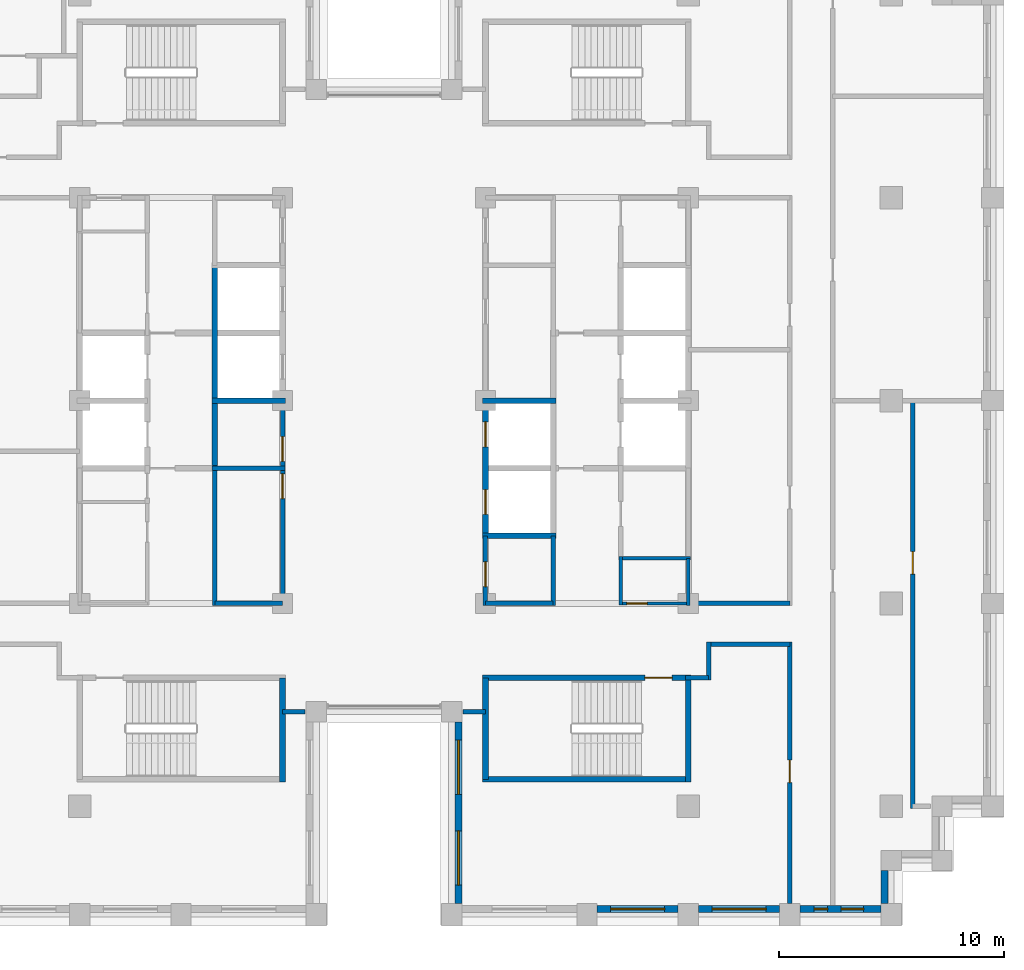
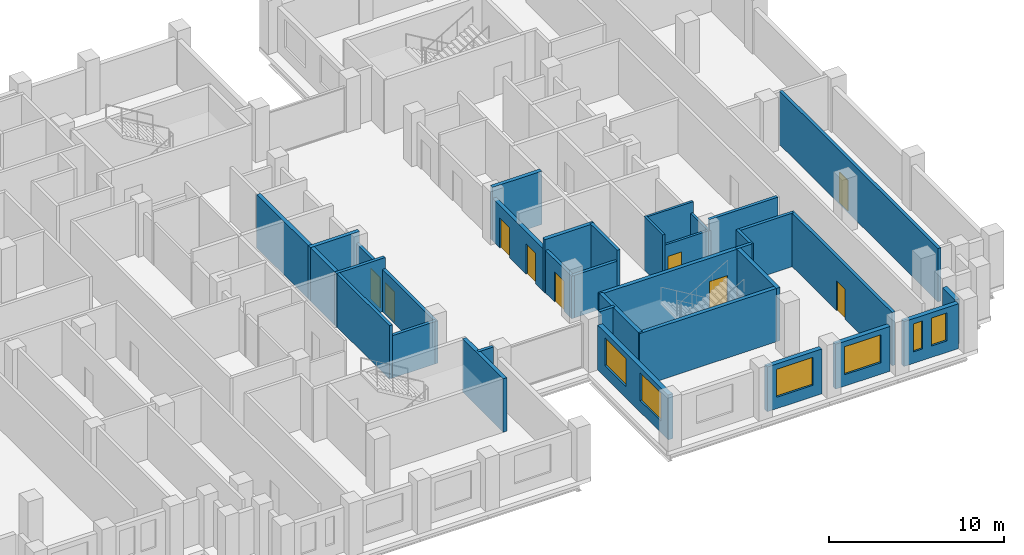
# One storey, part 8 of 15: 34 walls, 9 doors, 6 windows, 15 openings.
"""IFC4 building model written with IfcOpenShell, lengths in metres."""

from ifc_helpers import new_model, si_unit, direction, frame, frame_2d, origin, place, context, subcontext, project, spatial, rectangle, extrude, material, layer, layer_set, type_object, element, fill, save


model = new_model("IFC4")

# Units and contexts
model_context = context("Model", 3, precision=1e-05, world=origin(), true_north=direction((0.0, 1.0)))
body_context = subcontext(model_context, "Body", "Model", "MODEL_VIEW")
ifc_project = project(units=[si_unit("LENGTHUNIT", "METRE"), si_unit("AREAUNIT", "SQUARE_METRE"), si_unit("VOLUMEUNIT", "CUBIC_METRE"), si_unit("PLANEANGLEUNIT", "RADIAN"), si_unit("MASSUNIT", "GRAM", prefix="KILO")], contexts=[model_context])

# Site, building, storey
site_placement = place(None, origin())
site = spatial("IfcSite", under=ifc_project, at=site_placement, CompositionType="ELEMENT")
building_placement = place(site_placement, origin())
building = spatial("IfcBuilding", under=site, at=building_placement, Name="Corbelhall Arena Tower", CompositionType="ELEMENT")
storey_placement = place(building_placement, frame((0.0, 0.0, 220.0)))
storey = spatial("IfcBuildingStorey", under=building, at=storey_placement, Name="L46", CompositionType="ELEMENT", Elevation=220.0)

# Wall, openings, windows
ifc_material_1 = material(Name="Precast concrete C40/50 with granite facing", Category="masonry")
ifc_layer_1 = layer(ifc_material_1, 0.300048828125)
ifc_layer_set_1 = layer_set([ifc_layer_1], Name="EV-IW1 Infill panel 300")
wall_type_1 = type_object("IfcWallType", Name="EV-IW1 Infill panel 300", PredefinedType="SOLIDWALL", material=ifc_layer_set_1)
wall_1_placement = place(storey_placement, frame((3.300048828125, -14.25, 0.0), z_axis=(0.0, 0.0, 1.0), x_axis=(0.0, -1.0, 0.0)))
wall_1 = element("IfcWall", 1, at=wall_1_placement, inside=storey, type_object=wall_type_1, Name="Infill panel IW1", PredefinedType="SOLIDWALL", context=body_context, shape_type="SweptSolid", body=[
    extrude(rectangle(XDim=8.050048828125, YDim=0.300048828125, at=frame_2d((4.02490234375, 0.0))), origin(), (0.0, 0.0, 1.0), 3.1201171875),
])
opening_1_placement = place(wall_1_placement, frame((0.8125, 0.0, 0.800048828125)))
opening_1 = element("IfcOpeningElement", 2, at=opening_1_placement, cuts=wall_1, Name="Opening WN1", PredefinedType="OPENING", context=body_context, shape_type="SweptSolid", body=[
    extrude(rectangle(XDim=2.39990234375, YDim=1.949951171875, at=frame_2d((1.199951171875, 0.97509765625))), frame((0.0, 0.14990234375, 0.0), z_axis=(0.0, -1.0, 0.0), x_axis=(1.0, 0.0, 0.0)), (0.0, 0.0, 1.0), 0.300048828125),
])
opening_2_placement = place(wall_1_placement, frame((4.83740234375, 0.0, 0.800048828125)))
opening_2 = element("IfcOpeningElement", 3, at=opening_2_placement, cuts=wall_1, Name="Opening WN1", PredefinedType="OPENING", context=body_context, shape_type="SweptSolid", body=[
    extrude(rectangle(XDim=2.39990234375, YDim=1.949951171875, at=frame_2d((1.199951171875, 0.97509765625))), frame((0.0, 0.14990234375, 0.0), z_axis=(0.0, -1.0, 0.0), x_axis=(1.0, 0.0, 0.0)), (0.0, 0.0, 1.0), 0.300048828125),
])
ifc_material_2 = material(Name="Aluminium black anodised", Category="aluminium")
window_type_1 = type_object("IfcWindowType", Name="EV-WN1 Office window", PartitioningType="SINGLE_PANEL", PredefinedType="WINDOW", material=ifc_material_2)
window_1_placement = place(opening_1_placement, origin())
window_1 = element("IfcWindow", 4, at=window_1_placement, inside=storey, type_object=window_type_1, Name="Window WN1", OverallHeight=1.949951171875, OverallWidth=2.39990234375, PartitioningType="SINGLE_PANEL", PredefinedType="WINDOW", context=body_context, shape_type="SweptSolid", body=[
    extrude(rectangle(XDim=2.39990234375, YDim=1.949951171875, at=frame_2d((1.199951171875, 0.97509765625))), frame((0.0, 0.030029296875, 0.0), z_axis=(0.0, -1.0, 0.0), x_axis=(1.0, 0.0, 0.0)), (0.0, 0.0, 1.0), 0.06005859375),
])
fill(opening_1, window_1)
window_2_placement = place(opening_2_placement, origin())
window_2 = element("IfcWindow", 5, at=window_2_placement, inside=storey, type_object=window_type_1, Name="Window WN1", OverallHeight=1.949951171875, OverallWidth=2.39990234375, PartitioningType="SINGLE_PANEL", PredefinedType="WINDOW", context=body_context, shape_type="SweptSolid", body=[
    extrude(rectangle(XDim=2.39990234375, YDim=1.949951171875, at=frame_2d((1.199951171875, 0.97509765625))), frame((0.0, 0.030029296875, 0.0), z_axis=(0.0, -1.0, 0.0), x_axis=(1.0, 0.0, 0.0)), (0.0, 0.0, 1.0), 0.06005859375),
])
fill(opening_2, window_2)

# Wall, opening, window
wall_2_placement = place(storey_placement, frame((9.449951171875, -22.550048828125, 0.0), z_axis=(0.0, 0.0, 1.0), x_axis=(1.0, 0.0, 0.0)))
wall_2 = element("IfcWall", 6, at=wall_2_placement, inside=storey, type_object=wall_type_1, Name="Infill panel IW1", PredefinedType="SOLIDWALL", context=body_context, shape_type="SweptSolid", body=[
    extrude(rectangle(XDim=3.60009765625, YDim=0.300048828125, at=frame_2d((1.800048828125, 0.0))), origin(), (0.0, 0.0, 1.0), 3.1201171875),
])
opening_3_placement = place(wall_2_placement, frame((0.60009765625, 0.0, 0.800048828125)))
opening_3 = element("IfcOpeningElement", 7, at=opening_3_placement, cuts=wall_2, Name="Opening WN1", PredefinedType="OPENING", context=body_context, shape_type="SweptSolid", body=[
    extrude(rectangle(XDim=2.39990234375, YDim=1.949951171875, at=frame_2d((1.199951171875, 0.97509765625))), frame((0.0, 0.14990234375, 0.0), z_axis=(0.0, -1.0, 0.0), x_axis=(1.0, 0.0, 0.0)), (0.0, 0.0, 1.0), 0.300048828125),
])
window_3_placement = place(opening_3_placement, origin())
window_3 = element("IfcWindow", 8, at=window_3_placement, inside=storey, type_object=window_type_1, Name="Window WN1", OverallHeight=1.949951171875, OverallWidth=2.39990234375, PartitioningType="SINGLE_PANEL", PredefinedType="WINDOW", context=body_context, shape_type="SweptSolid", body=[
    extrude(rectangle(XDim=2.39990234375, YDim=1.949951171875, at=frame_2d((1.199951171875, 0.97509765625))), frame((0.0, 0.030029296875, 0.0), z_axis=(0.0, -1.0, 0.0), x_axis=(1.0, 0.0, 0.0)), (0.0, 0.0, 1.0), 0.06005859375),
])
fill(opening_3, window_3)

wall_3_placement = place(storey_placement, frame((13.949951171875, -22.550048828125, 0.0), z_axis=(0.0, 0.0, 1.0), x_axis=(1.0, 0.0, 0.0)))
wall_3 = element("IfcWall", 9, at=wall_3_placement, inside=storey, type_object=wall_type_1, Name="Infill panel IW1", PredefinedType="SOLIDWALL", context=body_context, shape_type="SweptSolid", body=[
    extrude(rectangle(XDim=3.60009765625, YDim=0.300048828125, at=frame_2d((1.800048828125, 0.0))), origin(), (0.0, 0.0, 1.0), 3.1201171875),
])
opening_4_placement = place(wall_3_placement, frame((0.60009765625, 0.0, 0.800048828125)))
opening_4 = element("IfcOpeningElement", 10, at=opening_4_placement, cuts=wall_3, Name="Opening WN1", PredefinedType="OPENING", context=body_context, shape_type="SweptSolid", body=[
    extrude(rectangle(XDim=2.39990234375, YDim=1.949951171875, at=frame_2d((1.199951171875, 0.97509765625))), frame((0.0, 0.14990234375, 0.0), z_axis=(0.0, -1.0, 0.0), x_axis=(1.0, 0.0, 0.0)), (0.0, 0.0, 1.0), 0.300048828125),
])
window_4_placement = place(opening_4_placement, origin())
window_4 = element("IfcWindow", 11, at=window_4_placement, inside=storey, type_object=window_type_1, Name="Window WN1", OverallHeight=1.949951171875, OverallWidth=2.39990234375, PartitioningType="SINGLE_PANEL", PredefinedType="WINDOW", context=body_context, shape_type="SweptSolid", body=[
    extrude(rectangle(XDim=2.39990234375, YDim=1.949951171875, at=frame_2d((1.199951171875, 0.97509765625))), frame((0.0, 0.030029296875, 0.0), z_axis=(0.0, -1.0, 0.0), x_axis=(1.0, 0.0, 0.0)), (0.0, 0.0, 1.0), 0.06005859375),
])
fill(opening_4, window_4)

# Wall, openings, windows
wall_4_placement = place(storey_placement, frame((18.449951171875, -22.550048828125, 0.0), z_axis=(0.0, 0.0, 1.0), x_axis=(1.0, 0.0, 0.0)))
wall_4 = element("IfcWall", 12, at=wall_4_placement, inside=storey, type_object=wall_type_1, Name="Infill panel IW1", PredefinedType="SOLIDWALL", context=body_context, shape_type="SweptSolid", body=[
    extrude(rectangle(XDim=3.60009765625, YDim=0.300048828125, at=frame_2d((1.800048828125, 0.0))), origin(), (0.0, 0.0, 1.0), 3.1201171875),
])
opening_5_placement = place(wall_4_placement, frame((0.625, 0.0, 0.800048828125)))
opening_5 = element("IfcOpeningElement", 13, at=opening_5_placement, cuts=wall_4, Name="Opening WN5", PredefinedType="OPENING", context=body_context, shape_type="SweptSolid", body=[
    extrude(rectangle(XDim=0.60009765625, YDim=1.949951171875, at=frame_2d((0.300048828125, 0.97509765625))), frame((0.0, 0.14990234375, 0.0), z_axis=(0.0, -1.0, 0.0), x_axis=(1.0, 0.0, 0.0)), (0.0, 0.0, 1.0), 0.300048828125),
])
opening_6_placement = place(wall_4_placement, frame((1.824951171875, 0.0, 0.800048828125)))
opening_6 = element("IfcOpeningElement", 14, at=opening_6_placement, cuts=wall_4, Name="Opening WN6", PredefinedType="OPENING", context=body_context, shape_type="SweptSolid", body=[
    extrude(rectangle(XDim=1.0, YDim=1.949951171875, at=frame_2d((0.5, 0.97509765625))), frame((0.0, 0.14990234375, 0.0), z_axis=(0.0, -1.0, 0.0), x_axis=(1.0, 0.0, 0.0)), (0.0, 0.0, 1.0), 0.300048828125),
])
window_type_2 = type_object("IfcWindowType", Name="EV-WN5 Office window 600", PartitioningType="SINGLE_PANEL", PredefinedType="WINDOW", material=ifc_material_2)
window_5_placement = place(opening_5_placement, origin())
window_5 = element("IfcWindow", 15, at=window_5_placement, inside=storey, type_object=window_type_2, Name="Window WN5", OverallHeight=1.949951171875, OverallWidth=0.60009765625, PartitioningType="SINGLE_PANEL", PredefinedType="WINDOW", context=body_context, shape_type="SweptSolid", body=[
    extrude(rectangle(XDim=0.60009765625, YDim=1.949951171875, at=frame_2d((0.300048828125, 0.97509765625))), frame((0.0, 0.030029296875, 0.0), z_axis=(0.0, -1.0, 0.0), x_axis=(1.0, 0.0, 0.0)), (0.0, 0.0, 1.0), 0.06005859375),
])
fill(opening_5, window_5)
window_type_3 = type_object("IfcWindowType", Name="EV-WN6 Office window 1000", PartitioningType="SINGLE_PANEL", PredefinedType="WINDOW", material=ifc_material_2)
window_6_placement = place(opening_6_placement, origin())
window_6 = element("IfcWindow", 16, at=window_6_placement, inside=storey, type_object=window_type_3, Name="Window WN6", OverallHeight=1.949951171875, OverallWidth=1.0, PartitioningType="SINGLE_PANEL", PredefinedType="WINDOW", context=body_context, shape_type="SweptSolid", body=[
    extrude(rectangle(XDim=1.0, YDim=1.949951171875, at=frame_2d((0.5, 0.97509765625))), frame((0.0, 0.030029296875, 0.0), z_axis=(0.0, -1.0, 0.0), x_axis=(1.0, 0.0, 0.0)), (0.0, 0.0, 1.0), 0.06005859375),
])
fill(opening_6, window_6)

# Walls
wall_5_placement = place(storey_placement, frame((22.199951171875, -22.300048828125, 0.0), z_axis=(0.0, 0.0, 1.0), x_axis=(0.0, 1.0, 0.0)))
element("IfcWall", 17, at=wall_5_placement, inside=storey, type_object=wall_type_1, Name="Infill panel IW1", PredefinedType="SOLIDWALL", context=body_context, shape_type="SweptSolid", body=[
    extrude(rectangle(XDim=1.449951171875, YDim=0.300048828125, at=frame_2d((0.72509765625, 0.0))), origin(), (0.0, 0.0, 1.0), 3.1201171875),
])
ifc_material_3 = material(Name="Gypsum board on steel stud, acoustic", Category="steel")
ifc_layer_2 = layer(ifc_material_3, 0.199951171875)
ifc_layer_set_2 = layer_set([ifc_layer_2], Name="IN-W-DM200")
wall_type_2 = type_object("IfcWallType", Name="IN-W-DM200", PredefinedType="PARTITIONING", material=ifc_layer_set_2)
for number, where, z_axis, x_axis, name in (
    (18, (-3.5, -13.800048828125, 0.0), (0.0, 0.0, 1.0), (-1.0, 0.0, 0.0), "Partition 032"),
    (19, (4.5, -13.800048828125, 0.0), (0.0, 0.0, 1.0), (-1.0, 0.0, 0.0), "Partition 034"),
):
    element("IfcWall", number, at=place(storey_placement, frame(where, z_axis=z_axis, x_axis=x_axis)), inside=storey, type_object=wall_type_2, Name=name, PredefinedType="PARTITIONING", context=body_context, shape_type="SweptSolid", body=[
        extrude(rectangle(XDim=1.0, YDim=0.199951171875, at=frame_2d((0.5, 0.0))), origin(), (0.0, 0.0, 1.0), 3.719970703125),
    ])
wall_6_placement = place(storey_placement, frame((13.5, -9.0, 0.0), z_axis=(0.0, 0.0, 1.0), x_axis=(1.0, 0.0, 0.0)))
element("IfcWall", 20, at=wall_6_placement, inside=storey, type_object=wall_type_2, Name="Partition 036", PredefinedType="PARTITIONING", context=body_context, shape_type="SweptSolid", body=[
    extrude(rectangle(XDim=4.5, YDim=0.199951171875, at=frame_2d((2.25, 0.0))), origin(), (0.0, 0.0, 1.0), 3.719970703125),
])
wall_7_placement = place(storey_placement, frame((14.39990234375, -12.300048828125, 0.0), z_axis=(0.0, 0.0, 1.0), x_axis=(-1.0, 0.0, 0.0)))
element("IfcWall", 21, at=wall_7_placement, inside=storey, type_object=wall_type_2, Name="Partition 038", PredefinedType="PARTITIONING", context=body_context, shape_type="SweptSolid", body=[
    extrude(rectangle(XDim=1.02490234375, YDim=0.199951171875, at=frame_2d((0.512451171875, 0.0))), origin(), (0.0, 0.0, 1.0), 3.719970703125),
])
wall_8_placement = place(storey_placement, frame((14.39990234375, -10.699951171875, 0.0), z_axis=(0.0, 0.0, 1.0), x_axis=(0.0, -1.0, 0.0)))
element("IfcWall", 22, at=wall_8_placement, inside=storey, type_object=wall_type_2, Name="Partition 039", PredefinedType="PARTITIONING", context=body_context, shape_type="SweptSolid", body=[
    extrude(rectangle(XDim=1.699951171875, YDim=0.199951171875, at=frame_2d((0.85009765625, 0.0))), origin(), (0.0, 0.0, 1.0), 3.719970703125),
])

# Wall, opening, door
wall_9_placement = place(storey_placement, frame((18.0, -22.300048828125, 0.0), z_axis=(0.0, 0.0, 1.0), x_axis=(0.0, 1.0, 0.0)))
wall_9 = element("IfcWall", 23, at=wall_9_placement, inside=storey, type_object=wall_type_2, Name="Partition 043", PredefinedType="PARTITIONING", context=body_context, shape_type="SweptSolid", body=[
    extrude(rectangle(XDim=11.60009765625, YDim=0.199951171875, at=frame_2d((5.800048828125, 0.0))), origin(), (0.0, 0.0, 1.0), 3.719970703125),
])
opening_7_placement = place(wall_9_placement, frame((5.35009765625, 0.0, 0.0)))
opening_7 = element("IfcOpeningElement", 24, at=opening_7_placement, cuts=wall_9, Name="Opening 14031", PredefinedType="OPENING", context=body_context, shape_type="SweptSolid", body=[
    extrude(rectangle(XDim=1.0, YDim=2.10009765625, at=frame_2d((0.5, 1.050048828125))), frame((0.0, 0.10009765625, 0.0), z_axis=(0.0, -1.0, 0.0), x_axis=(1.0, 0.0, 0.0)), (0.0, 0.0, 1.0), 0.199951171875),
])
ifc_material_4 = material(Name="Steel door set", Category="steel")
door_type_1 = type_object("IfcDoorType", Name="IN-D-SW100", OperationType="NOTDEFINED", PredefinedType="DOOR", material=ifc_material_4)
door_1_placement = place(opening_7_placement, origin())
door_1 = element("IfcDoor", 25, at=door_1_placement, inside=storey, type_object=door_type_1, Name="Door 031", OperationType="SINGLE_SWING_RIGHT", OverallHeight=2.10009765625, OverallWidth=1.0, PredefinedType="DOOR", context=body_context, shape_type="SweptSolid", body=[
    extrude(rectangle(XDim=1.0, YDim=2.10009765625, at=frame_2d((0.5, 1.050048828125))), frame((0.0, 0.02490234375, 0.0), z_axis=(0.0, -1.0, 0.0), x_axis=(1.0, 0.0, 0.0)), (0.0, 0.0, 1.0), 0.050048828125),
])
fill(opening_7, door_1)

# Wall
wall_10_placement = place(storey_placement, frame((18.0, -10.800048828125, 0.0), z_axis=(0.0, 0.0, 1.0), x_axis=(-1.0, 0.0, 0.0)))
element("IfcWall", 26, at=wall_10_placement, inside=storey, type_object=wall_type_2, Name="Partition 044", PredefinedType="PARTITIONING", context=body_context, shape_type="SweptSolid", body=[
    extrude(rectangle(XDim=3.60009765625, YDim=0.199951171875, at=frame_2d((1.800048828125, 0.0))), origin(), (0.0, 0.0, 1.0), 3.719970703125),
])

# Wall, opening, door
wall_11_placement = place(storey_placement, frame((23.449951171875, 0.0, 0.0), z_axis=(0.0, 0.0, 1.0), x_axis=(0.0, -1.0, 0.0)))
wall_11 = element("IfcWall", 27, at=wall_11_placement, inside=storey, type_object=wall_type_2, Name="Partition 050", PredefinedType="PARTITIONING", context=body_context, shape_type="SweptSolid", body=[
    extrude(rectangle(XDim=18.10009765625, YDim=0.199951171875, at=frame_2d((9.050048828125, 0.0))), origin(), (0.0, 0.0, 1.0), 3.719970703125),
])
opening_8_placement = place(wall_11_placement, frame((6.699951171875, 0.0, 0.0)))
opening_8 = element("IfcOpeningElement", 28, at=opening_8_placement, cuts=wall_11, Name="Opening 14041", PredefinedType="OPENING", context=body_context, shape_type="SweptSolid", body=[
    extrude(rectangle(XDim=1.0, YDim=2.10009765625, at=frame_2d((0.5, 1.050048828125))), frame((0.0, 0.10009765625, 0.0), z_axis=(0.0, -1.0, 0.0), x_axis=(1.0, 0.0, 0.0)), (0.0, 0.0, 1.0), 0.199951171875),
])
door_2_placement = place(opening_8_placement, origin())
door_2 = element("IfcDoor", 29, at=door_2_placement, inside=storey, type_object=door_type_1, Name="Door 041", OperationType="SINGLE_SWING_RIGHT", OverallHeight=2.10009765625, OverallWidth=1.0, PredefinedType="DOOR", context=body_context, shape_type="SweptSolid", body=[
    extrude(rectangle(XDim=1.0, YDim=2.10009765625, at=frame_2d((0.5, 1.050048828125))), frame((0.0, 0.02490234375, 0.0), z_axis=(0.0, -1.0, 0.0), x_axis=(1.0, 0.0, 0.0)), (0.0, 0.0, 1.0), 0.050048828125),
])
fill(opening_8, door_2)

# Walls
ifc_material_5 = material(Name="Concrete block wall", Category="concrete")
ifc_layer_3 = layer(ifc_material_5, 0.199951171875)
ifc_layer_set_3 = layer_set([ifc_layer_3], Name="IN-W-RS200")
wall_type_3 = type_object("IfcWallType", Name="IN-W-RS200", PredefinedType="SOLIDWALL", material=ifc_layer_set_3)
wall_12_placement = place(storey_placement, frame((-7.625, -3.0, 0.0), z_axis=(0.0, 0.0, 1.0), x_axis=(1.0, 0.0, 0.0)))
element("IfcWall", 30, at=wall_12_placement, inside=storey, type_object=wall_type_3, Name="Partition 057", PredefinedType="SOLIDWALL", context=body_context, shape_type="SweptSolid", body=[
    extrude(rectangle(XDim=3.22509765625, YDim=0.199951171875, at=frame_2d((1.612548828125, 0.0))), origin(), (0.0, 0.0, 1.0), 3.719970703125),
])
wall_13_placement = place(storey_placement, frame((-7.5, -9.10009765625, 0.0), z_axis=(0.0, 0.0, 1.0), x_axis=(0.0, 1.0, 0.0)))
element("IfcWall", 31, at=wall_13_placement, inside=storey, type_object=wall_type_3, Name="Partition 058", PredefinedType="SOLIDWALL", context=body_context, shape_type="SweptSolid", body=[
    extrude(rectangle(XDim=6.22509765625, YDim=0.199951171875, at=frame_2d((3.112548828125, 0.0))), origin(), (0.0, 0.0, 1.0), 3.719970703125),
])
wall_14_placement = place(storey_placement, frame((7.5, -6.0, 0.0), z_axis=(0.0, 0.0, 1.0), x_axis=(0.0, -1.0, 0.0)))
element("IfcWall", 32, at=wall_14_placement, inside=storey, type_object=wall_type_3, Name="Partition 069", PredefinedType="SOLIDWALL", context=body_context, shape_type="SweptSolid", body=[
    extrude(rectangle(XDim=3.10009765625, YDim=0.199951171875, at=frame_2d((1.550048828125, 0.0))), origin(), (0.0, 0.0, 1.0), 3.719970703125),
])
ifc_layer_4 = layer(ifc_material_5, 0.199951171875)
ifc_layer_set_4 = layer_set([ifc_layer_4], Name="IN-W-RS200 under beam 762 mm")
wall_type_4 = type_object("IfcWallType", Name="IN-W-RS200 under beam 762 mm", PredefinedType="SOLIDWALL", material=ifc_layer_set_4)
wall_15_placement = place(storey_placement, frame((-4.5, -9.0, 0.0), z_axis=(0.0, 0.0, 1.0), x_axis=(-1.0, 0.0, 0.0)))
element("IfcWall", 33, at=wall_15_placement, inside=storey, type_object=wall_type_4, Name="Partition 061", PredefinedType="SOLIDWALL", context=body_context, shape_type="SweptSolid", body=[
    extrude(rectangle(XDim=3.0, YDim=0.199951171875, at=frame_2d((1.5, 0.0))), origin(), (0.0, 0.0, 1.0), 2.9580078125),
])

# Wall, openings, doors
wall_16_placement = place(storey_placement, frame((-4.5, 0.0, 0.0), z_axis=(0.0, 0.0, 1.0), x_axis=(0.0, -1.0, 0.0)))
wall_16 = element("IfcWall", 34, at=wall_16_placement, inside=storey, type_object=wall_type_4, Name="Partition 062", PredefinedType="SOLIDWALL", context=body_context, shape_type="SweptSolid", body=[
    extrude(rectangle(XDim=9.10009765625, YDim=0.199951171875, at=frame_2d((4.550048828125, 0.0))), origin(), (0.0, 0.0, 1.0), 2.9580078125),
])
opening_9_placement = place(wall_16_placement, frame((3.25, 0.0, 0.0)))
opening_9 = element("IfcOpeningElement", 35, at=opening_9_placement, cuts=wall_16, Name="Opening 14001", PredefinedType="OPENING", context=body_context, shape_type="SweptSolid", body=[
    extrude(rectangle(XDim=1.10009765625, YDim=2.10009765625, at=frame_2d((0.550048828125, 1.050048828125))), frame((0.0, 0.10009765625, 0.0), z_axis=(0.0, -1.0, 0.0), x_axis=(1.0, 0.0, 0.0)), (0.0, 0.0, 1.0), 0.199951171875),
])
opening_10_placement = place(wall_16_placement, frame((1.60009765625, 0.0, 0.0)))
opening_10 = element("IfcOpeningElement", 36, at=opening_10_placement, cuts=wall_16, Name="Opening 14002", PredefinedType="OPENING", context=body_context, shape_type="SweptSolid", body=[
    extrude(rectangle(XDim=1.10009765625, YDim=2.10009765625, at=frame_2d((0.550048828125, 1.050048828125))), frame((0.0, 0.10009765625, 0.0), z_axis=(0.0, -1.0, 0.0), x_axis=(1.0, 0.0, 0.0)), (0.0, 0.0, 1.0), 0.199951171875),
])
door_type_2 = type_object("IfcDoorType", Name="IN-D-FD110", OperationType="NOTDEFINED", PredefinedType="DOOR", material=ifc_material_4)
door_3_placement = place(opening_9_placement, origin())
door_3 = element("IfcDoor", 37, at=door_3_placement, inside=storey, type_object=door_type_2, Name="Door 001", OperationType="SINGLE_SWING_RIGHT", OverallHeight=2.10009765625, OverallWidth=1.10009765625, PredefinedType="DOOR", context=body_context, shape_type="SweptSolid", body=[
    extrude(rectangle(XDim=1.10009765625, YDim=2.10009765625, at=frame_2d((0.550048828125, 1.050048828125))), frame((0.0, 0.02490234375, 0.0), z_axis=(0.0, -1.0, 0.0), x_axis=(1.0, 0.0, 0.0)), (0.0, 0.0, 1.0), 0.050048828125),
])
fill(opening_9, door_3)
door_4_placement = place(opening_10_placement, origin())
door_4 = element("IfcDoor", 38, at=door_4_placement, inside=storey, type_object=door_type_2, Name="Door 002", OperationType="SINGLE_SWING_LEFT", OverallHeight=2.10009765625, OverallWidth=1.10009765625, PredefinedType="DOOR", context=body_context, shape_type="SweptSolid", body=[
    extrude(rectangle(XDim=1.10009765625, YDim=2.10009765625, at=frame_2d((0.550048828125, 1.050048828125))), frame((0.0, 0.02490234375, 0.0), z_axis=(0.0, -1.0, 0.0), x_axis=(1.0, 0.0, 0.0)), (0.0, 0.0, 1.0), 0.050048828125),
])
fill(opening_10, door_4)

# Wall, opening, door
wall_17_placement = place(storey_placement, frame((4.5, -9.10009765625, 0.0), z_axis=(0.0, 0.0, 1.0), x_axis=(0.0, 1.0, 0.0)))
wall_17 = element("IfcWall", 39, at=wall_17_placement, inside=storey, type_object=wall_type_4, Name="Partition 065", PredefinedType="SOLIDWALL", context=body_context, shape_type="SweptSolid", body=[
    extrude(rectangle(XDim=3.10009765625, YDim=0.199951171875, at=frame_2d((1.550048828125, 0.0))), origin(), (0.0, 0.0, 1.0), 2.9580078125),
])
opening_11_placement = place(wall_17_placement, frame((0.85009765625, 0.0, 0.0)))
opening_11 = element("IfcOpeningElement", 40, at=opening_11_placement, cuts=wall_17, Name="Opening 14010", PredefinedType="OPENING", context=body_context, shape_type="SweptSolid", body=[
    extrude(rectangle(XDim=1.10009765625, YDim=2.10009765625, at=frame_2d((0.550048828125, 1.050048828125))), frame((0.0, 0.10009765625, 0.0), z_axis=(0.0, -1.0, 0.0), x_axis=(1.0, 0.0, 0.0)), (0.0, 0.0, 1.0), 0.199951171875),
])
door_5_placement = place(opening_11_placement, origin())
door_5 = element("IfcDoor", 41, at=door_5_placement, inside=storey, type_object=door_type_2, Name="Door 010", OperationType="SINGLE_SWING_LEFT", OverallHeight=2.10009765625, OverallWidth=1.10009765625, PredefinedType="DOOR", context=body_context, shape_type="SweptSolid", body=[
    extrude(rectangle(XDim=1.10009765625, YDim=2.10009765625, at=frame_2d((0.550048828125, 1.050048828125))), frame((0.0, 0.02490234375, 0.0), z_axis=(0.0, -1.0, 0.0), x_axis=(1.0, 0.0, 0.0)), (0.0, 0.0, 1.0), 0.050048828125),
])
fill(opening_11, door_5)

# Walls
wall_18_placement = place(storey_placement, frame((7.5, -9.0, 0.0), z_axis=(0.0, 0.0, 1.0), x_axis=(-1.0, 0.0, 0.0)))
element("IfcWall", 42, at=wall_18_placement, inside=storey, type_object=wall_type_4, Name="Partition 068", PredefinedType="SOLIDWALL", context=body_context, shape_type="SweptSolid", body=[
    extrude(rectangle(XDim=3.0, YDim=0.199951171875, at=frame_2d((1.5, 0.0))), origin(), (0.0, 0.0, 1.0), 2.9580078125),
])
ifc_material_6 = material(Name="Concrete C40/50", Category="concrete")
ifc_layer_5 = layer(ifc_material_6, 0.25)
ifc_layer_set_5 = layer_set([ifc_layer_5], Name="IN-W-SH250")
wall_type_5 = type_object("IfcWallType", Name="IN-W-SH250", PredefinedType="SOLIDWALL", material=ifc_layer_set_5)
wall_19_placement = place(storey_placement, frame((-7.625, 0.0, 0.0), z_axis=(0.0, 0.0, 1.0), x_axis=(1.0, 0.0, 0.0)))
element("IfcWall", 43, at=wall_19_placement, inside=storey, type_object=wall_type_5, Name="Shaft wall 081", PredefinedType="SOLIDWALL", context=body_context, shape_type="SweptSolid", body=[
    extrude(rectangle(XDim=3.25, YDim=0.25, at=frame_2d((1.625, 0.0))), origin(), (0.0, 0.0, 1.0), 3.719970703125),
])
wall_20_placement = place(storey_placement, frame((-7.5, -3.125, 0.0), z_axis=(0.0, 0.0, 1.0), x_axis=(0.0, 1.0, 0.0)))
element("IfcWall", 44, at=wall_20_placement, inside=storey, type_object=wall_type_5, Name="Shaft wall 083", PredefinedType="SOLIDWALL", context=body_context, shape_type="SweptSolid", body=[
    extrude(rectangle(XDim=9.125, YDim=0.25, at=frame_2d((4.5625, 0.0))), origin(), (0.0, 0.0, 1.0), 3.719970703125),
])
for number, where, z_axis, x_axis, name in (
    (45, (4.375, -6.0, 0.0), (0.0, 0.0, 1.0), (1.0, 0.0, 0.0), "Shaft wall 085"),
    (46, (4.375, 0.0, 0.0), (0.0, 0.0, 1.0), (1.0, 0.0, 0.0), "Shaft wall 087"),
):
    element("IfcWall", number, at=place(storey_placement, frame(where, z_axis=z_axis, x_axis=x_axis)), inside=storey, type_object=wall_type_5, Name=name, PredefinedType="SOLIDWALL", context=body_context, shape_type="SweptSolid", body=[
        extrude(rectangle(XDim=3.25, YDim=0.25, at=frame_2d((1.625, 0.0))), origin(), (0.0, 0.0, 1.0), 3.719970703125),
    ])

# Wall, openings, doors
ifc_layer_6 = layer(ifc_material_6, 0.25)
ifc_layer_set_6 = layer_set([ifc_layer_6], Name="IN-W-SH250 under beam 762 mm")
wall_type_6 = type_object("IfcWallType", Name="IN-W-SH250 under beam 762 mm", PredefinedType="SOLIDWALL", material=ifc_layer_set_6)
wall_21_placement = place(storey_placement, frame((4.5, -6.0, 0.0), z_axis=(0.0, 0.0, 1.0), x_axis=(0.0, 1.0, 0.0)))
wall_21 = element("IfcWall", 47, at=wall_21_placement, inside=storey, type_object=wall_type_6, Name="Shaft wall 088", PredefinedType="SOLIDWALL", context=body_context, shape_type="SweptSolid", body=[
    extrude(rectangle(XDim=6.0, YDim=0.25, at=frame_2d((3.0, 0.0))), origin(), (0.0, 0.0, 1.0), 2.9580078125),
])
opening_12_placement = place(wall_21_placement, frame((0.949951171875, 0.0, 0.0)))
opening_12 = element("IfcOpeningElement", 48, at=opening_12_placement, cuts=wall_21, Name="Opening LD", PredefinedType="OPENING", context=body_context, shape_type="SweptSolid", body=[
    extrude(rectangle(XDim=1.10009765625, YDim=2.10009765625, at=frame_2d((0.550048828125, 1.050048828125))), frame((0.0, 0.125, 0.0), z_axis=(0.0, -1.0, 0.0), x_axis=(1.0, 0.0, 0.0)), (0.0, 0.0, 1.0), 0.25),
])
opening_13_placement = place(wall_21_placement, frame((3.949951171875, 0.0, 0.0)))
opening_13 = element("IfcOpeningElement", 49, at=opening_13_placement, cuts=wall_21, Name="Opening LD", PredefinedType="OPENING", context=body_context, shape_type="SweptSolid", body=[
    extrude(rectangle(XDim=1.10009765625, YDim=2.10009765625, at=frame_2d((0.550048828125, 1.050048828125))), frame((0.0, 0.125, 0.0), z_axis=(0.0, -1.0, 0.0), x_axis=(1.0, 0.0, 0.0)), (0.0, 0.0, 1.0), 0.25),
])
door_type_3 = type_object("IfcDoorType", Name="IN-D-LD110", OperationType="NOTDEFINED", PredefinedType="DOOR", material=ifc_material_4)
door_6_placement = place(opening_12_placement, origin())
door_6 = element("IfcDoor", 50, at=door_6_placement, inside=storey, type_object=door_type_3, Name="Landing door E2", OperationType="SLIDING_TO_LEFT", OverallHeight=2.10009765625, OverallWidth=1.10009765625, PredefinedType="DOOR", context=body_context, shape_type="SweptSolid", body=[
    extrude(rectangle(XDim=1.10009765625, YDim=2.10009765625, at=frame_2d((0.550048828125, 1.050048828125))), frame((0.0, 0.02490234375, 0.0), z_axis=(0.0, -1.0, 0.0), x_axis=(1.0, 0.0, 0.0)), (0.0, 0.0, 1.0), 0.050048828125),
])
fill(opening_12, door_6)
door_7_placement = place(opening_13_placement, origin())
door_7 = element("IfcDoor", 51, at=door_7_placement, inside=storey, type_object=door_type_3, Name="Landing door E3", OperationType="SLIDING_TO_LEFT", OverallHeight=2.10009765625, OverallWidth=1.10009765625, PredefinedType="DOOR", context=body_context, shape_type="SweptSolid", body=[
    extrude(rectangle(XDim=1.10009765625, YDim=2.10009765625, at=frame_2d((0.550048828125, 1.050048828125))), frame((0.0, 0.02490234375, 0.0), z_axis=(0.0, -1.0, 0.0), x_axis=(1.0, 0.0, 0.0)), (0.0, 0.0, 1.0), 0.050048828125),
])
fill(opening_13, door_7)

# Walls
ifc_layer_7 = layer(ifc_material_6, 0.25)
ifc_layer_set_7 = layer_set([ifc_layer_7], Name="IN-W-ST250")
wall_type_7 = type_object("IfcWallType", Name="IN-W-ST250", PredefinedType="SOLIDWALL", material=ifc_layer_set_7)
wall_22_placement = place(storey_placement, frame((-4.5, -12.300048828125, 0.0), z_axis=(0.0, 0.0, 1.0), x_axis=(0.0, -1.0, 0.0)))
element("IfcWall", 52, at=wall_22_placement, inside=storey, type_object=wall_type_7, Name="Shaft wall 106", PredefinedType="SOLIDWALL", context=body_context, shape_type="SweptSolid", body=[
    extrude(rectangle(XDim=4.625, YDim=0.25, at=frame_2d((2.3125, 0.0))), origin(), (0.0, 0.0, 1.0), 3.719970703125),
])
wall_23_placement = place(storey_placement, frame((4.5, -16.800048828125, 0.0), z_axis=(0.0, 0.0, 1.0), x_axis=(0.0, 1.0, 0.0)))
element("IfcWall", 53, at=wall_23_placement, inside=storey, type_object=wall_type_7, Name="Shaft wall 111", PredefinedType="SOLIDWALL", context=body_context, shape_type="SweptSolid", body=[
    extrude(rectangle(XDim=4.5, YDim=0.25, at=frame_2d((2.25, 0.0))), origin(), (0.0, 0.0, 1.0), 3.719970703125),
])
wall_24_placement = place(storey_placement, frame((13.5, -16.800048828125, 0.0), z_axis=(0.0, 0.0, 1.0), x_axis=(-1.0, 0.0, 0.0)))
element("IfcWall", 54, at=wall_24_placement, inside=storey, type_object=wall_type_7, Name="Shaft wall 113", PredefinedType="SOLIDWALL", context=body_context, shape_type="SweptSolid", body=[
    extrude(rectangle(XDim=9.125, YDim=0.25, at=frame_2d((4.5625, 0.0))), origin(), (0.0, 0.0, 1.0), 3.719970703125),
])
wall_25_placement = place(storey_placement, frame((13.5, -12.300048828125, 0.0), z_axis=(0.0, 0.0, 1.0), x_axis=(0.0, -1.0, 0.0)))
element("IfcWall", 55, at=wall_25_placement, inside=storey, type_object=wall_type_7, Name="Shaft wall 114", PredefinedType="SOLIDWALL", context=body_context, shape_type="SweptSolid", body=[
    extrude(rectangle(XDim=4.625, YDim=0.25, at=frame_2d((2.3125, 0.0))), origin(), (0.0, 0.0, 1.0), 3.719970703125),
])

# Wall, opening, door
wall_26_placement = place(storey_placement, frame((13.625, -12.300048828125, 0.0), z_axis=(0.0, 0.0, 1.0), x_axis=(-1.0, 0.0, 0.0)))
wall_26 = element("IfcWall", 56, at=wall_26_placement, inside=storey, type_object=wall_type_7, Name="Shaft wall 116", PredefinedType="SOLIDWALL", context=body_context, shape_type="SweptSolid", body=[
    extrude(rectangle(XDim=9.25, YDim=0.25, at=frame_2d((4.625, 0.0))), origin(), (0.0, 0.0, 1.0), 3.719970703125),
])
opening_14_placement = place(wall_26_placement, frame((0.85009765625, 0.0, 0.0)))
opening_14 = element("IfcOpeningElement", 57, at=opening_14_placement, cuts=wall_26, Name="Opening 14021", PredefinedType="OPENING", context=body_context, shape_type="SweptSolid", body=[
    extrude(rectangle(XDim=1.199951171875, YDim=2.10009765625, at=frame_2d((0.60009765625, 1.050048828125))), frame((0.0, 0.125, 0.0), z_axis=(0.0, -1.0, 0.0), x_axis=(1.0, 0.0, 0.0)), (0.0, 0.0, 1.0), 0.25),
])
door_type_4 = type_object("IfcDoorType", Name="IN-D-ST120", OperationType="NOTDEFINED", PredefinedType="DOOR", material=ifc_material_4)
door_8_placement = place(opening_14_placement, origin())
door_8 = element("IfcDoor", 58, at=door_8_placement, inside=storey, type_object=door_type_4, Name="Door 021", OperationType="SINGLE_SWING_RIGHT", OverallHeight=2.10009765625, OverallWidth=1.199951171875, PredefinedType="DOOR", context=body_context, shape_type="SweptSolid", body=[
    extrude(rectangle(XDim=1.199951171875, YDim=2.10009765625, at=frame_2d((0.60009765625, 1.050048828125))), frame((0.0, 0.02490234375, 0.0), z_axis=(0.0, -1.0, 0.0), x_axis=(1.0, 0.0, 0.0)), (0.0, 0.0, 1.0), 0.050048828125),
])
fill(opening_14, door_8)

# Walls
ifc_material_7 = material(Name="Gypsum board on steel stud, moisture resistant", Category="steel")
ifc_layer_8 = layer(ifc_material_7, 0.14990234375)
ifc_layer_set_8 = layer_set([ifc_layer_8], Name="IN-W-WC150")
wall_type_8 = type_object("IfcWallType", Name="IN-W-WC150", PredefinedType="PARTITIONING", material=ifc_layer_set_8)
wall_27_placement = place(storey_placement, frame((10.5, -7.0, 0.0), z_axis=(0.0, 0.0, 1.0), x_axis=(1.0, 0.0, 0.0)))
element("IfcWall", 59, at=wall_27_placement, inside=storey, type_object=wall_type_8, Name="Partition 124", PredefinedType="PARTITIONING", context=body_context, shape_type="SweptSolid", body=[
    extrude(rectangle(XDim=3.10009765625, YDim=0.14990234375, at=frame_2d((1.550048828125, 0.0))), origin(), (0.0, 0.0, 1.0), 3.719970703125),
])
wall_28_placement = place(storey_placement, frame((10.5, -6.925048828125, 0.0), z_axis=(0.0, 0.0, 1.0), x_axis=(0.0, -1.0, 0.0)))
element("IfcWall", 60, at=wall_28_placement, inside=storey, type_object=wall_type_8, Name="Partition 125", PredefinedType="PARTITIONING", context=body_context, shape_type="SweptSolid", body=[
    extrude(rectangle(XDim=2.14990234375, YDim=0.14990234375, at=frame_2d((1.074951171875, 0.0))), origin(), (0.0, 0.0, 1.0), 3.719970703125),
])
ifc_layer_9 = layer(ifc_material_7, 0.14990234375)
ifc_layer_set_9 = layer_set([ifc_layer_9], Name="IN-W-WC150 under beam 762 mm")
wall_type_9 = type_object("IfcWallType", Name="IN-W-WC150 under beam 762 mm", PredefinedType="PARTITIONING", material=ifc_layer_set_9)
wall_29_placement = place(storey_placement, frame((13.5, -7.0, 0.0), z_axis=(0.0, 0.0, 1.0), x_axis=(0.0, -1.0, 0.0)))
element("IfcWall", 61, at=wall_29_placement, inside=storey, type_object=wall_type_9, Name="Partition 126", PredefinedType="PARTITIONING", context=body_context, shape_type="SweptSolid", body=[
    extrude(rectangle(XDim=2.10009765625, YDim=0.14990234375, at=frame_2d((1.050048828125, 0.0))), origin(), (0.0, 0.0, 1.0), 2.9580078125),
])

# Wall, opening, door
wall_30_placement = place(storey_placement, frame((13.574951171875, -9.0, 0.0), z_axis=(0.0, 0.0, 1.0), x_axis=(-1.0, 0.0, 0.0)))
wall_30 = element("IfcWall", 62, at=wall_30_placement, inside=storey, type_object=wall_type_9, Name="Partition 127", PredefinedType="PARTITIONING", context=body_context, shape_type="SweptSolid", body=[
    extrude(rectangle(XDim=3.074951171875, YDim=0.14990234375, at=frame_2d((1.53759765625, 0.0))), origin(), (0.0, 0.0, 1.0), 2.9580078125),
])
opening_15_placement = place(wall_30_placement, frame((1.89990234375, 0.0, 0.0)))
opening_15 = element("IfcOpeningElement", 63, at=opening_15_placement, cuts=wall_30, Name="Opening 14015", PredefinedType="OPENING", context=body_context, shape_type="SweptSolid", body=[
    extrude(rectangle(XDim=0.89990234375, YDim=2.10009765625, at=frame_2d((0.449951171875, 1.050048828125))), frame((0.0, 0.074951171875, 0.0), z_axis=(0.0, -1.0, 0.0), x_axis=(1.0, 0.0, 0.0)), (0.0, 0.0, 1.0), 0.14990234375),
])
ifc_material_8 = material(Name="Timber door set", Category="wood")
door_type_5 = type_object("IfcDoorType", Name="IN-D-SW90", OperationType="NOTDEFINED", PredefinedType="DOOR", material=ifc_material_8)
door_9_placement = place(opening_15_placement, origin())
door_9 = element("IfcDoor", 64, at=door_9_placement, inside=storey, type_object=door_type_5, Name="Door 015", OperationType="SINGLE_SWING_RIGHT", OverallHeight=2.10009765625, OverallWidth=0.89990234375, PredefinedType="DOOR", context=body_context, shape_type="SweptSolid", body=[
    extrude(rectangle(XDim=0.89990234375, YDim=2.10009765625, at=frame_2d((0.449951171875, 1.050048828125))), frame((0.0, 0.02490234375, 0.0), z_axis=(0.0, -1.0, 0.0), x_axis=(1.0, 0.0, 0.0)), (0.0, 0.0, 1.0), 0.050048828125),
])
fill(opening_15, door_9)

save(model, "model.ifc")
